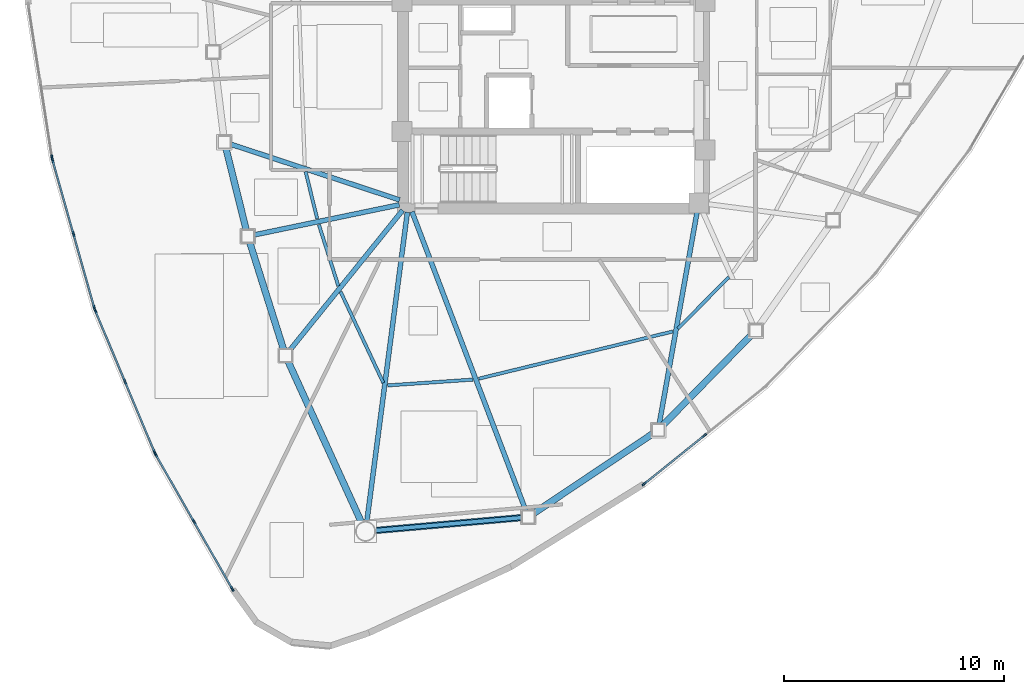
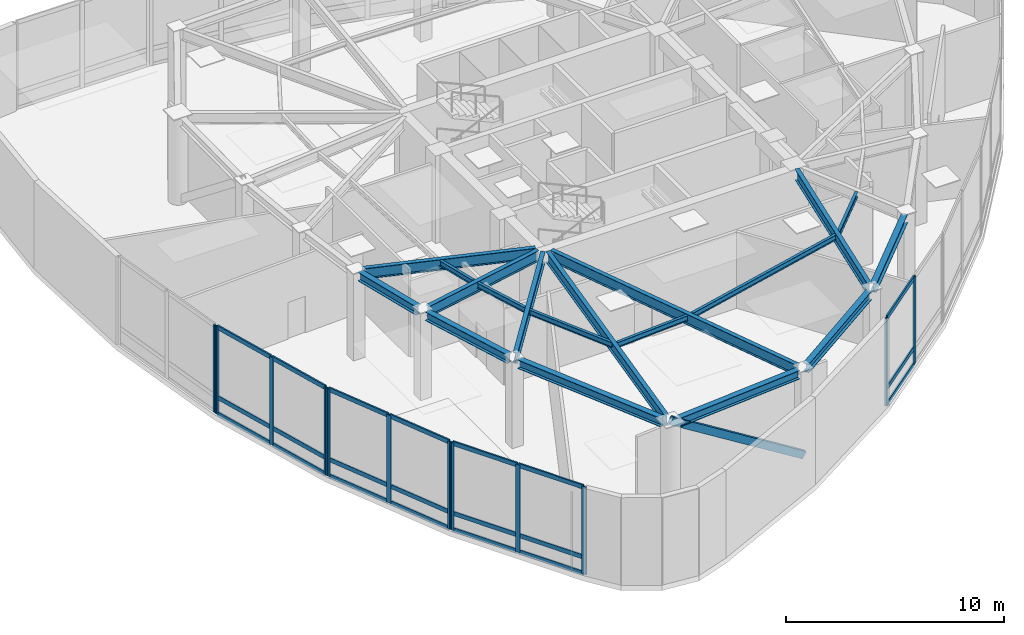
# One storey, part 2 of 12: 34 members, 18 beams, 5 elements without a shape of their own.
"""IFC4 building model written with IfcOpenShell, lengths in metres."""

from ifc_helpers import new_model, si_unit, direction, frame, origin, origin_2d, place, context, subcontext, project, spatial, hollow_rectangle, i_section, extrude, source, transform, mapped, material, layer, layer_set, material_profile, profile_set, type_object, type_shapes, element, aggregate, save


model = new_model("IFC4")

# Units and contexts
model_context = context("Model", 3, precision=1e-05, world=origin(), true_north=direction((0.0, 1.0)))
body_context = subcontext(model_context, "Body", "Model", "MODEL_VIEW")
ifc_project = project(units=[si_unit("LENGTHUNIT", "METRE"), si_unit("AREAUNIT", "SQUARE_METRE"), si_unit("VOLUMEUNIT", "CUBIC_METRE"), si_unit("PLANEANGLEUNIT", "RADIAN"), si_unit("MASSUNIT", "GRAM", prefix="KILO")], contexts=[model_context])

# Site, building, storey
site_placement = place(None, origin())
site = spatial("IfcSite", under=ifc_project, at=site_placement, CompositionType="ELEMENT")
building_placement = place(site_placement, origin())
building = spatial("IfcBuilding", under=site, at=building_placement, Name="Tavelor Broadcast Tower", CompositionType="ELEMENT")
storey_placement = place(building_placement, frame((0.0, 0.0, 216.949951171875)))
storey = spatial("IfcBuildingStorey", under=building, at=storey_placement, Name="L51", CompositionType="ELEMENT", Elevation=216.949951171875)

# Beams
ifc_material_1 = material(Name="Steel S355", Category="steel")
ifc_material_profile_1 = material_profile(ifc_material_1, i_section(OverallWidth=0.14990234375, OverallDepth=0.300048828125, WebThickness=0.007080078125, FlangeThickness=0.0107421875, at=origin_2d()), Name="IPE 300")
ifc_profile_set_1 = profile_set([ifc_material_profile_1], Name="Steel S355")
beam_type_1 = type_object("IfcBeamType", Name="Composite Floor Joist T5 IPE 300", PredefinedType="JOIST", material=ifc_profile_set_1)
beam_1_placement = place(storey_placement, frame((38.712646484375, 40.221435546875, 4.75), z_axis=(0.239592093356, -0.970873642037, 0.0), x_axis=(0.970873642037, 0.239592093356, 0.0)))
element("IfcBeam", 1, at=beam_1_placement, inside=storey, type_object=beam_type_1, Name="L51 Secondary Composite Floor Joist 04", PredefinedType="JOIST", context=body_context, shape_type="SweptSolid", body=[
    extrude(i_section(OverallWidth=0.14990234375, OverallDepth=0.300048828125, WebThickness=0.007080078125, FlangeThickness=0.0107421875, at=origin_2d()), origin(), (0.0, 0.0, 1.0), 2.2060546875),
])
beam_2_placement = place(storey_placement, frame((39.316650390625, 37.811279296875, 4.75), z_axis=(0.302412009178, -0.953177306017, 0.0), x_axis=(0.953177306017, 0.302412009178, 0.0)))
element("IfcBeam", 2, at=beam_2_placement, inside=storey, type_object=beam_type_1, Name="L51 Secondary Composite Floor Joist 05", PredefinedType="JOIST", context=body_context, shape_type="SweptSolid", body=[
    extrude(i_section(OverallWidth=0.14990234375, OverallDepth=0.300048828125, WebThickness=0.007080078125, FlangeThickness=0.0107421875, at=origin_2d()), origin(), (0.0, 0.0, 1.0), 2.92822265625),
])
beam_3_placement = place(storey_placement, frame((40.303466796875, 34.76123046875, 4.75), z_axis=(0.424747696097, -0.905311766553, 0.0), x_axis=(0.905311766553, 0.424747696097, 0.0)))
element("IfcBeam", 3, at=beam_3_placement, inside=storey, type_object=beam_type_1, Name="L51 Secondary Composite Floor Joist 06", PredefinedType="JOIST", context=body_context, shape_type="SweptSolid", body=[
    extrude(i_section(OverallWidth=0.14990234375, OverallDepth=0.300048828125, WebThickness=0.007080078125, FlangeThickness=0.0107421875, at=origin_2d()), origin(), (0.0, 0.0, 1.0), 4.583984375),
])
beam_4_placement = place(storey_placement, frame((42.44873046875, 30.49462890625, 4.75), z_axis=(0.997688348821, 0.067955563618, 0.0), x_axis=(-0.067955563618, 0.997688348821, 0.0)))
element("IfcBeam", 4, at=beam_4_placement, inside=storey, type_object=beam_type_1, Name="L51 Secondary Composite Floor Joist 07", PredefinedType="JOIST", context=body_context, shape_type="SweptSolid", body=[
    extrude(i_section(OverallWidth=0.14990234375, OverallDepth=0.300048828125, WebThickness=0.007080078125, FlangeThickness=0.0107421875, at=origin_2d()), origin(), (0.0, 0.0, 1.0), 3.880126953125),
])
beam_5_placement = place(storey_placement, frame((46.59423828125, 30.80078125, 4.75), z_axis=(0.971661934331, 0.236374883124, 0.0), x_axis=(-0.236374883124, 0.971661934331, 0.0)))
element("IfcBeam", 5, at=beam_5_placement, inside=storey, type_object=beam_type_1, Name="L51 Secondary Composite Floor Joist 08", PredefinedType="JOIST", context=body_context, shape_type="SweptSolid", body=[
    extrude(i_section(OverallWidth=0.14990234375, OverallDepth=0.300048828125, WebThickness=0.007080078125, FlangeThickness=0.0107421875, at=origin_2d()), origin(), (0.0, 0.0, 1.0), 9.089111328125),
])
beam_6_placement = place(storey_placement, frame((55.6591796875, 33.081298828125, 4.75), z_axis=(0.702295555333, 0.711885491465, 0.0), x_axis=(-0.711885491465, 0.702295555333, 0.0)))
element("IfcBeam", 6, at=beam_6_placement, inside=storey, type_object=beam_type_1, Name="L51 Secondary Composite Floor Joist 09", PredefinedType="JOIST", context=body_context, shape_type="SweptSolid", body=[
    extrude(i_section(OverallWidth=0.14990234375, OverallDepth=0.300048828125, WebThickness=0.007080078125, FlangeThickness=0.0107421875, at=origin_2d()), origin(), (0.0, 0.0, 1.0), 3.2841796875),
])
ifc_material_profile_2 = material_profile(ifc_material_1, i_section(OverallWidth=0.300048828125, OverallDepth=0.489990234375, WebThickness=0.011962890625, FlangeThickness=0.02294921875, at=origin_2d()), Name="HEA 500")
ifc_profile_set_2 = profile_set([ifc_material_profile_2], Name="Steel S355")
beam_type_2 = type_object("IfcBeamType", Name="Perimeter Spandrel Beam T5 HEA 500", PredefinedType="SPANDREL", material=ifc_profile_set_2)
beam_7_placement = place(storey_placement, frame((35.08837890625, 41.284423828125, 4.655029296875), z_axis=(0.24127750007, -0.970456164883, 0.0), x_axis=(0.970456164883, 0.24127750007, 0.0)))
element("IfcBeam", 7, at=beam_7_placement, inside=storey, type_object=beam_type_2, Name="L51 Framed-Tube Ring Spandrel 04", PredefinedType="SPANDREL", context=body_context, shape_type="SweptSolid", body=[
    extrude(i_section(OverallWidth=0.300048828125, OverallDepth=0.489990234375, WebThickness=0.011962890625, FlangeThickness=0.02294921875, at=origin_2d()), origin(), (0.0, 0.0, 1.0), 3.8359375),
])
beam_8_placement = place(storey_placement, frame((36.170166015625, 37.0078125, 4.655029296875), z_axis=(0.300957826527, -0.95363745032, 0.0), x_axis=(0.95363745032, 0.300957826527, 0.0)))
element("IfcBeam", 8, at=beam_8_placement, inside=storey, type_object=beam_type_2, Name="L51 Framed-Tube Ring Spandrel 05", PredefinedType="SPANDREL", context=body_context, shape_type="SweptSolid", body=[
    extrude(i_section(OverallWidth=0.300048828125, OverallDepth=0.489990234375, WebThickness=0.011962890625, FlangeThickness=0.02294921875, at=origin_2d()), origin(), (0.0, 0.0, 1.0), 5.1171875),
])
beam_9_placement = place(storey_placement, frame((37.91650390625, 31.59130859375, 4.655029296875), z_axis=(0.414437010202, -0.910077999171, 0.0), x_axis=(0.910077999171, 0.414437010202, 0.0)))
element("IfcBeam", 9, at=beam_9_placement, inside=storey, type_object=beam_type_2, Name="L51 Framed-Tube Ring Spandrel 06", PredefinedType="SPANDREL", context=body_context, shape_type="SweptSolid", body=[
    extrude(i_section(OverallWidth=0.300048828125, OverallDepth=0.489990234375, WebThickness=0.011962890625, FlangeThickness=0.02294921875, at=origin_2d()), origin(), (0.0, 0.0, 1.0), 8.0634765625),
])
beam_10_placement = place(storey_placement, frame((41.877197265625, 23.89208984375, 4.655029296875), z_axis=(0.996152506101, 0.087636662361, 0.0), x_axis=(-0.087636662361, 0.996152506101, 0.0)))
element("IfcBeam", 10, at=beam_10_placement, inside=storey, type_object=beam_type_2, Name="L51 Framed-Tube Ring Spandrel 07", PredefinedType="SPANDREL", context=body_context, shape_type="SweptSolid", body=[
    extrude(i_section(OverallWidth=0.300048828125, OverallDepth=0.489990234375, WebThickness=0.011962890625, FlangeThickness=0.02294921875, at=origin_2d()), origin(), (0.0, 0.0, 1.0), 6.70556640625),
])
beam_11_placement = place(storey_placement, frame((49.083251953125, 24.665283203125, 4.655029296875), z_axis=(0.830979943124, 0.556302376523, 0.0), x_axis=(-0.556302376523, 0.830979943124, 0.0)))
element("IfcBeam", 11, at=beam_11_placement, inside=storey, type_object=beam_type_2, Name="L51 Framed-Tube Ring Spandrel 08", PredefinedType="SPANDREL", context=body_context, shape_type="SweptSolid", body=[
    extrude(i_section(OverallWidth=0.300048828125, OverallDepth=0.489990234375, WebThickness=0.011962890625, FlangeThickness=0.02294921875, at=origin_2d()), origin(), (0.0, 0.0, 1.0), 6.536376953125),
])
beam_12_placement = place(storey_placement, frame((54.955810546875, 28.667236328125, 4.655029296875), z_axis=(0.70018873327, 0.713957798334, 0.0), x_axis=(-0.713957798334, 0.70018873327, 0.0)))
element("IfcBeam", 12, at=beam_12_placement, inside=storey, type_object=beam_type_2, Name="L51 Framed-Tube Ring Spandrel 09", PredefinedType="SPANDREL", context=body_context, shape_type="SweptSolid", body=[
    extrude(i_section(OverallWidth=0.300048828125, OverallDepth=0.489990234375, WebThickness=0.011962890625, FlangeThickness=0.02294921875, at=origin_2d()), origin(), (0.0, 0.0, 1.0), 5.7626953125),
])

# Member
ifc_material_profile_3 = material_profile(ifc_material_1, hollow_rectangle(XDim=0.199951171875, YDim=0.39990234375, WallThickness=0.01611328125, at=origin_2d()), Name="RHS 400x200x16")
ifc_profile_set_3 = profile_set([ifc_material_profile_3], Name="Steel S355")
member_type_1 = type_object("IfcMemberType", Name="Perimeter Tube Brace T5 RHS 400x200x16", PredefinedType="BRACE", material=ifc_profile_set_3)
member_1_placement = place(storey_placement, frame((48.843994140625, 24.5048828125, 0.0), z_axis=(-0.831669307327, -0.073140606827, 0.550433115721), x_axis=(0.087606208465, -0.996155184817, 0.0)))
element("IfcMember", 13, at=member_1_placement, inside=storey, type_object=member_type_1, Name="L51 Corner Tube Diagonal Brace 2", PredefinedType="BRACE", context=body_context, shape_type="SweptSolid", body=[
    extrude(hollow_rectangle(XDim=0.199951171875, YDim=0.39990234375, WallThickness=0.01611328125, at=origin_2d()), origin(), (0.0, 0.0, 1.0), 8.90234375),
])

# Beams
ifc_material_profile_4 = material_profile(ifc_material_1, i_section(OverallWidth=0.219970703125, OverallDepth=0.60009765625, WebThickness=0.011962890625, FlangeThickness=0.01904296875, at=origin_2d()), Name="IPE 600")
ifc_profile_set_4 = profile_set([ifc_material_profile_4], Name="Steel S355")
beam_type_3 = type_object("IfcBeamType", Name="Radial Floor Girder T5 IPE 600", PredefinedType="BEAM", material=ifc_profile_set_4)
beam_13_placement = place(storey_placement, frame((42.98974609375, 38.935302734375, 4.60009765625), z_axis=(-0.949693529109, 0.313180779692, 0.0), x_axis=(-0.313180779692, -0.949693529109, 0.0)))
element("IfcBeam", 14, at=beam_13_placement, inside=storey, type_object=beam_type_3, Name="L51 Radial Primary Floor Girder 04", PredefinedType="BEAM", context=body_context, shape_type="SweptSolid", body=[
    extrude(i_section(OverallWidth=0.219970703125, OverallDepth=0.60009765625, WebThickness=0.011962890625, FlangeThickness=0.01904296875, at=origin_2d()), origin(), (0.0, 0.0, 1.0), 8.10498046875),
])
beam_14_placement = place(storey_placement, frame((42.97705078125, 38.71240234375, 4.60009765625), z_axis=(-0.979152429868, -0.203126854658, 0.0), x_axis=(0.203126854658, -0.979152429868, 0.0)))
element("IfcBeam", 15, at=beam_14_placement, inside=storey, type_object=beam_type_3, Name="L51 Radial Primary Floor Girder 05", PredefinedType="BEAM", context=body_context, shape_type="SweptSolid", body=[
    extrude(i_section(OverallWidth=0.219970703125, OverallDepth=0.60009765625, WebThickness=0.011962890625, FlangeThickness=0.01904296875, at=origin_2d()), origin(), (0.0, 0.0, 1.0), 6.75244140625),
])
beam_15_placement = place(storey_placement, frame((43.12890625, 38.463623046875, 4.60009765625), z_axis=(-0.627821660469, -0.778357220463, 0.0), x_axis=(0.778357220463, -0.627821660469, 0.0)))
element("IfcBeam", 16, at=beam_15_placement, inside=storey, type_object=beam_type_3, Name="L51 Radial Primary Floor Girder 06", PredefinedType="BEAM", context=body_context, shape_type="SweptSolid", body=[
    extrude(i_section(OverallWidth=0.219970703125, OverallDepth=0.60009765625, WebThickness=0.011962890625, FlangeThickness=0.01904296875, at=origin_2d()), origin(), (0.0, 0.0, 1.0), 8.204833984375),
])
beam_16_placement = place(storey_placement, frame((43.34375, 38.37158203125, 4.60009765625), z_axis=(-0.130000517012, -0.991513926063, 0.0), x_axis=(0.991513926063, -0.130000517012, 0.0)))
element("IfcBeam", 17, at=beam_16_placement, inside=storey, type_object=beam_type_3, Name="L51 Radial Primary Floor Girder 07", PredefinedType="BEAM", context=body_context, shape_type="SweptSolid", body=[
    extrude(i_section(OverallWidth=0.219970703125, OverallDepth=0.60009765625, WebThickness=0.011962890625, FlangeThickness=0.01904296875, at=origin_2d()), origin(), (0.0, 0.0, 1.0), 14.203369140625),
])
beam_17_placement = place(storey_placement, frame((43.5537109375, 38.396240234375, 4.60009765625), z_axis=(0.355898513414, -0.934524610778, 0.0), x_axis=(0.934524610778, 0.355898513414, 0.0)))
element("IfcBeam", 18, at=beam_17_placement, inside=storey, type_object=beam_type_3, Name="L51 Radial Primary Floor Girder 08", PredefinedType="BEAM", context=body_context, shape_type="SweptSolid", body=[
    extrude(i_section(OverallWidth=0.219970703125, OverallDepth=0.60009765625, WebThickness=0.011962890625, FlangeThickness=0.01904296875, at=origin_2d()), origin(), (0.0, 0.0, 1.0), 14.576416015625),
])
beam_18_placement = place(storey_placement, frame((56.524169921875, 38.374755859375, 4.60009765625), z_axis=(-0.175781136437, -0.984429272255, 0.0), x_axis=(0.984429272255, -0.175781136437, 0.0)))
element("IfcBeam", 19, at=beam_18_placement, inside=storey, type_object=beam_type_3, Name="L51 Radial Primary Floor Girder 09", PredefinedType="BEAM", context=body_context, shape_type="SweptSolid", body=[
    extrude(i_section(OverallWidth=0.219970703125, OverallDepth=0.60009765625, WebThickness=0.011962890625, FlangeThickness=0.01904296875, at=origin_2d()), origin(), (0.0, 0.0, 1.0), 9.781982421875),
])

# Curtain wall, member
ifc_material_2 = material(Name="Architectural Anodized Aluminium", Category="aluminium")
ifc_layer = layer(ifc_material_2, 0.239990234375)
ifc_layer_set = layer_set([ifc_layer], Name="Architectural Anodized Aluminium")
curtain_wall_type = type_object("IfcCurtainWallType", Name="Sky Lobby Feature Structural Curtain Wall CW05", PredefinedType="NOTDEFINED", material=ifc_layer_set)
curtain_wall_1_placement = place(storey_placement, origin())
curtain_wall_1 = element("IfcCurtainWall", 20, at=curtain_wall_1_placement, inside=storey, type_object=curtain_wall_type, Name="L51 Curtain Wall CW05 Run 541", PredefinedType="NOTDEFINED")
ifc_material_profile_5 = material_profile(ifc_material_2, hollow_rectangle(XDim=0.080078125, YDim=0.239990234375, WallThickness=0.02197265625, at=origin_2d()), Name="RHS 80x240x22")
ifc_profile_set_5 = profile_set([ifc_material_profile_5], Name="Architectural Anodized Aluminium")
member_type_2 = type_object("IfcMemberType", Name="CW05 Extruded Aluminium Mullion 80x240", PredefinedType="MULLION", material=ifc_profile_set_5)
shared_shape_1 = source(origin(), body_context, "Body", "SweptSolid", [
    extrude(hollow_rectangle(XDim=0.080078125, YDim=0.239990234375, WallThickness=0.02197265625, at=origin_2d()), origin(), (0.0, 0.0, 1.0), 4.900146484375),
])
type_shapes(member_type_2, [shared_shape_1])
member_2_placement = place(storey_placement, frame((27.174560546875, 40.864501953125, 0.0), z_axis=(0.0, 0.0, 1.0), x_axis=(0.988162463311, 0.153411036448, 0.0)))
member_2 = element("IfcMember", 21, at=member_2_placement, type_object=member_type_2, Name="CW05 mullion 3", PredefinedType="MULLION", context=body_context, shape_type="MappedRepresentation", body=[
    mapped(shared_shape_1, transform((0.0, 0.0, 0.0), scale=1.0)),
])
aggregate(curtain_wall_1, [member_2])

# Curtain wall, members
curtain_wall_2_placement = place(storey_placement, origin())
curtain_wall_2 = element("IfcCurtainWall", 22, at=curtain_wall_2_placement, inside=storey, type_object=curtain_wall_type, Name="L51 Curtain Wall CW05 Run 542", PredefinedType="NOTDEFINED")
member_3_placement = place(storey_placement, frame((27.197998046875, 40.757080078125, 0.0), z_axis=(0.0, 0.0, 1.0), x_axis=(0.962335241615, 0.271865560059, 0.0)))
member_3 = element("IfcMember", 23, at=member_3_placement, type_object=member_type_2, Name="CW05 mullion 1", PredefinedType="MULLION", context=body_context, shape_type="MappedRepresentation", body=[
    mapped(shared_shape_1, transform((0.0, 0.0, 0.0), scale=1.0)),
])
member_4_placement = place(storey_placement, frame((28.15087890625, 37.384765625, 0.0), z_axis=(0.0, 0.0, 1.0), x_axis=(0.962335241615, 0.271865560059, 0.0)))
member_4 = element("IfcMember", 24, at=member_4_placement, type_object=member_type_2, Name="CW05 mullion 2", PredefinedType="MULLION", context=body_context, shape_type="MappedRepresentation", body=[
    mapped(shared_shape_1, transform((0.0, 0.0, 0.0), scale=1.0)),
])
member_5_placement = place(storey_placement, frame((29.103515625, 34.01220703125, 0.0), z_axis=(0.0, 0.0, 1.0), x_axis=(0.962335241615, 0.271865560059, 0.0)))
member_5 = element("IfcMember", 25, at=member_5_placement, type_object=member_type_2, Name="CW05 mullion 3", PredefinedType="MULLION", context=body_context, shape_type="MappedRepresentation", body=[
    mapped(shared_shape_1, transform((0.0, 0.0, 0.0), scale=1.0)),
])

curtain_wall_3_placement = place(storey_placement, origin())
curtain_wall_3 = element("IfcCurtainWall", 26, at=curtain_wall_3_placement, inside=storey, type_object=curtain_wall_type, Name="L51 Curtain Wall CW05 Run 543", PredefinedType="NOTDEFINED")
member_6_placement = place(storey_placement, frame((29.1396484375, 33.90869140625, 0.0), z_axis=(0.0, 0.0, 1.0), x_axis=(0.922360806845, 0.386329576911, 0.0)))
member_6 = element("IfcMember", 27, at=member_6_placement, type_object=member_type_2, Name="CW05 mullion 1", PredefinedType="MULLION", context=body_context, shape_type="MappedRepresentation", body=[
    mapped(shared_shape_1, transform((0.0, 0.0, 0.0), scale=1.0)),
])
member_7_placement = place(storey_placement, frame((30.49365234375, 30.67626953125, 0.0), z_axis=(0.0, 0.0, 1.0), x_axis=(0.922360806845, 0.386329576911, 0.0)))
member_7 = element("IfcMember", 28, at=member_7_placement, type_object=member_type_2, Name="CW05 mullion 2", PredefinedType="MULLION", context=body_context, shape_type="MappedRepresentation", body=[
    mapped(shared_shape_1, transform((0.0, 0.0, 0.0), scale=1.0)),
])
member_8_placement = place(storey_placement, frame((31.847412109375, 27.444091796875, 0.0), z_axis=(0.0, 0.0, 1.0), x_axis=(0.922360806845, 0.386329576911, 0.0)))
member_8 = element("IfcMember", 29, at=member_8_placement, type_object=member_type_2, Name="CW05 mullion 3", PredefinedType="MULLION", context=body_context, shape_type="MappedRepresentation", body=[
    mapped(shared_shape_1, transform((0.0, 0.0, 0.0), scale=1.0)),
])

curtain_wall_4_placement = place(storey_placement, origin())
curtain_wall_4 = element("IfcCurtainWall", 30, at=curtain_wall_4_placement, inside=storey, type_object=curtain_wall_type, Name="L51 Curtain Wall CW05 Run 544", PredefinedType="NOTDEFINED")
member_9_placement = place(storey_placement, frame((31.89599609375, 27.345458984375, 0.0), z_axis=(0.0, 0.0, 1.0), x_axis=(0.868834971851, 0.495101799319, 0.0)))
member_9 = element("IfcMember", 31, at=member_9_placement, type_object=member_type_2, Name="CW05 mullion 1", PredefinedType="MULLION", context=body_context, shape_type="MappedRepresentation", body=[
    mapped(shared_shape_1, transform((0.0, 0.0, 0.0), scale=1.0)),
])
member_10_placement = place(storey_placement, frame((33.635009765625, 24.293701171875, 0.0), z_axis=(0.0, 0.0, 1.0), x_axis=(0.868834971851, 0.495101799319, 0.0)))
member_10 = element("IfcMember", 32, at=member_10_placement, type_object=member_type_2, Name="CW05 mullion 2", PredefinedType="MULLION", context=body_context, shape_type="MappedRepresentation", body=[
    mapped(shared_shape_1, transform((0.0, 0.0, 0.0), scale=1.0)),
])
member_11_placement = place(storey_placement, frame((35.373779296875, 21.241943359375, 0.0), z_axis=(0.0, 0.0, 1.0), x_axis=(0.868834971851, 0.495101799319, 0.0)))
member_11 = element("IfcMember", 33, at=member_11_placement, type_object=member_type_2, Name="CW05 mullion 3", PredefinedType="MULLION", context=body_context, shape_type="MappedRepresentation", body=[
    mapped(shared_shape_1, transform((0.0, 0.0, 0.0), scale=1.0)),
])

curtain_wall_5_placement = place(storey_placement, origin())
curtain_wall_5 = element("IfcCurtainWall", 34, at=curtain_wall_5_placement, inside=storey, type_object=curtain_wall_type, Name="L51 Curtain Wall CW05 Run 545", PredefinedType="NOTDEFINED")
member_12_placement = place(storey_placement, frame((54.1220703125, 26.014892578125, 0.0), z_axis=(0.0, 0.0, 1.0), x_axis=(-0.626937934584, 0.779069205, 0.0)))
member_12 = element("IfcMember", 35, at=member_12_placement, type_object=member_type_2, Name="CW05 mullion 1", PredefinedType="MULLION", context=body_context, shape_type="MappedRepresentation", body=[
    mapped(shared_shape_1, transform((0.0, 0.0, 0.0), scale=1.0)),
])
member_13_placement = place(storey_placement, frame((56.858154296875, 28.216552734375, 0.0), z_axis=(0.0, 0.0, 1.0), x_axis=(-0.626937934584, 0.779069205, 0.0)))
member_13 = element("IfcMember", 36, at=member_13_placement, type_object=member_type_2, Name="CW05 mullion 2", PredefinedType="MULLION", context=body_context, shape_type="MappedRepresentation", body=[
    mapped(shared_shape_1, transform((0.0, 0.0, 0.0), scale=1.0)),
])
ifc_material_profile_6 = material_profile(ifc_material_2, hollow_rectangle(XDim=0.080078125, YDim=0.239990234375, WallThickness=0.02197265625, at=origin_2d()), Name="RHS 80x240x22")
ifc_profile_set_6 = profile_set([ifc_material_profile_6], Name="Architectural Anodized Aluminium")
member_type_3 = type_object("IfcMemberType", Name="CW05 Extruded Aluminium Transom 80x240", PredefinedType="USERDEFINED", material=ifc_profile_set_6)
shared_shape_2 = source(origin(), body_context, "Body", "SweptSolid", [
    extrude(hollow_rectangle(XDim=0.080078125, YDim=0.239990234375, WallThickness=0.02197265625, at=origin_2d()), origin(), (0.0, 0.0, 1.0), 3.431884765625),
])
member_14_placement = place(storey_placement, frame((54.1533203125, 26.039794921875, 0.0400390625), z_axis=(0.779054059292, 0.626956755049, 0.0), x_axis=(-0.626956755049, 0.779054059292, 0.0)))
member_14 = element("IfcMember", 37, at=member_14_placement, type_object=member_type_3, Name="CW05 transom 1.1", ObjectType="TRANSOM", PredefinedType="USERDEFINED", context=body_context, shape_type="MappedRepresentation", body=[
    mapped(shared_shape_2, transform((0.0, 0.0, 0.0), scale=1.0)),
])
member_15_placement = place(storey_placement, frame((54.1533203125, 26.039794921875, 0.949951171875), z_axis=(0.779054059292, 0.626956755049, 0.0), x_axis=(-0.626956755049, 0.779054059292, 0.0)))
member_15 = element("IfcMember", 38, at=member_15_placement, type_object=member_type_3, Name="CW05 transom 1.2", ObjectType="TRANSOM", PredefinedType="USERDEFINED", context=body_context, shape_type="MappedRepresentation", body=[
    mapped(shared_shape_2, transform((0.0, 0.0, 0.0), scale=1.0)),
])
member_16_placement = place(storey_placement, frame((54.1533203125, 26.039794921875, 4.860107421875), z_axis=(0.779054059292, 0.626956755049, 0.0), x_axis=(-0.626956755049, 0.779054059292, 0.0)))
member_16 = element("IfcMember", 39, at=member_16_placement, type_object=member_type_3, Name="CW05 transom 1.3", ObjectType="TRANSOM", PredefinedType="USERDEFINED", context=body_context, shape_type="MappedRepresentation", body=[
    mapped(shared_shape_2, transform((0.0, 0.0, 0.0), scale=1.0)),
])
aggregate(curtain_wall_5, [member_12, member_13, member_14, member_15, member_16])

# Member
shared_shape_3 = source(origin(), body_context, "Body", "SweptSolid", [
    extrude(hollow_rectangle(XDim=0.080078125, YDim=0.239990234375, WallThickness=0.02197265625, at=origin_2d()), origin(), (0.0, 0.0, 1.0), 3.42431640625),
])
member_17_placement = place(storey_placement, frame((27.208984375, 40.718505859375, 0.0400390625), z_axis=(0.271847923653, -0.962340223832, 0.0), x_axis=(0.962340223832, 0.271847923653, 0.0)))
member_17 = element("IfcMember", 40, at=member_17_placement, type_object=member_type_3, Name="CW05 transom 1.1", ObjectType="TRANSOM", PredefinedType="USERDEFINED", context=body_context, shape_type="MappedRepresentation", body=[
    mapped(shared_shape_3, transform((0.0, 0.0, 0.0), scale=1.0)),
])

member_18_placement = place(storey_placement, frame((27.208984375, 40.718505859375, 0.949951171875), z_axis=(0.271847923653, -0.962340223832, 0.0), x_axis=(0.962340223832, 0.271847923653, 0.0)))
member_18 = element("IfcMember", 41, at=member_18_placement, type_object=member_type_3, Name="CW05 transom 1.2", ObjectType="TRANSOM", PredefinedType="USERDEFINED", context=body_context, shape_type="MappedRepresentation", body=[
    mapped(shared_shape_3, transform((0.0, 0.0, 0.0), scale=1.0)),
])

member_19_placement = place(storey_placement, frame((27.208984375, 40.718505859375, 4.860107421875), z_axis=(0.271847923653, -0.962340223832, 0.0), x_axis=(0.962340223832, 0.271847923653, 0.0)))
member_19 = element("IfcMember", 42, at=member_19_placement, type_object=member_type_3, Name="CW05 transom 1.3", ObjectType="TRANSOM", PredefinedType="USERDEFINED", context=body_context, shape_type="MappedRepresentation", body=[
    mapped(shared_shape_3, transform((0.0, 0.0, 0.0), scale=1.0)),
])

member_20_placement = place(storey_placement, frame((28.16162109375, 37.34619140625, 0.0400390625), z_axis=(0.271847923653, -0.962340223832, 0.0), x_axis=(0.962340223832, 0.271847923653, 0.0)))
member_20 = element("IfcMember", 43, at=member_20_placement, type_object=member_type_3, Name="CW05 transom 2.1", ObjectType="TRANSOM", PredefinedType="USERDEFINED", context=body_context, shape_type="MappedRepresentation", body=[
    mapped(shared_shape_3, transform((0.0, 0.0, 0.0), scale=1.0)),
])

member_21_placement = place(storey_placement, frame((28.16162109375, 37.34619140625, 0.949951171875), z_axis=(0.271847923653, -0.962340223832, 0.0), x_axis=(0.962340223832, 0.271847923653, 0.0)))
member_21 = element("IfcMember", 44, at=member_21_placement, type_object=member_type_3, Name="CW05 transom 2.2", ObjectType="TRANSOM", PredefinedType="USERDEFINED", context=body_context, shape_type="MappedRepresentation", body=[
    mapped(shared_shape_3, transform((0.0, 0.0, 0.0), scale=1.0)),
])

member_22_placement = place(storey_placement, frame((28.16162109375, 37.34619140625, 4.860107421875), z_axis=(0.271847923653, -0.962340223832, 0.0), x_axis=(0.962340223832, 0.271847923653, 0.0)))
member_22 = element("IfcMember", 45, at=member_22_placement, type_object=member_type_3, Name="CW05 transom 2.3", ObjectType="TRANSOM", PredefinedType="USERDEFINED", context=body_context, shape_type="MappedRepresentation", body=[
    mapped(shared_shape_3, transform((0.0, 0.0, 0.0), scale=1.0)),
])

aggregate(curtain_wall_2, [member_3, member_4, member_5, member_17, member_18, member_19, member_20, member_21, member_22])

member_23_placement = place(storey_placement, frame((30.509033203125, 30.639404296875, 0.0400390625), z_axis=(0.386351111716, -0.922351786726, 0.0), x_axis=(0.922351786726, 0.386351111716, 0.0)))
member_23 = element("IfcMember", 46, at=member_23_placement, type_object=member_type_3, Name="CW05 transom 2.1", ObjectType="TRANSOM", PredefinedType="USERDEFINED", context=body_context, shape_type="MappedRepresentation", body=[
    mapped(shared_shape_3, transform((0.0, 0.0, 0.0), scale=1.0)),
])

member_24_placement = place(storey_placement, frame((30.509033203125, 30.639404296875, 0.949951171875), z_axis=(0.386351111716, -0.922351786726, 0.0), x_axis=(0.922351786726, 0.386351111716, 0.0)))
member_24 = element("IfcMember", 47, at=member_24_placement, type_object=member_type_3, Name="CW05 transom 2.2", ObjectType="TRANSOM", PredefinedType="USERDEFINED", context=body_context, shape_type="MappedRepresentation", body=[
    mapped(shared_shape_3, transform((0.0, 0.0, 0.0), scale=1.0)),
])

member_25_placement = place(storey_placement, frame((30.509033203125, 30.639404296875, 4.860107421875), z_axis=(0.386351111716, -0.922351786726, 0.0), x_axis=(0.922351786726, 0.386351111716, 0.0)))
member_25 = element("IfcMember", 48, at=member_25_placement, type_object=member_type_3, Name="CW05 transom 2.3", ObjectType="TRANSOM", PredefinedType="USERDEFINED", context=body_context, shape_type="MappedRepresentation", body=[
    mapped(shared_shape_3, transform((0.0, 0.0, 0.0), scale=1.0)),
])

shared_shape_4 = source(origin(), body_context, "Body", "SweptSolid", [
    extrude(hollow_rectangle(XDim=0.080078125, YDim=0.239990234375, WallThickness=0.02197265625, at=origin_2d()), origin(), (0.0, 0.0, 1.0), 3.424560546875),
])
member_26_placement = place(storey_placement, frame((29.1552734375, 33.871826171875, 0.0400390625), z_axis=(0.386265053456, -0.922387829754, 0.0), x_axis=(0.922387829754, 0.386265053456, 0.0)))
member_26 = element("IfcMember", 49, at=member_26_placement, type_object=member_type_3, Name="CW05 transom 1.1", ObjectType="TRANSOM", PredefinedType="USERDEFINED", context=body_context, shape_type="MappedRepresentation", body=[
    mapped(shared_shape_4, transform((0.0, 0.0, 0.0), scale=1.0)),
])

member_27_placement = place(storey_placement, frame((29.1552734375, 33.871826171875, 0.949951171875), z_axis=(0.386265053456, -0.922387829754, 0.0), x_axis=(0.922387829754, 0.386265053456, 0.0)))
member_27 = element("IfcMember", 50, at=member_27_placement, type_object=member_type_3, Name="CW05 transom 1.2", ObjectType="TRANSOM", PredefinedType="USERDEFINED", context=body_context, shape_type="MappedRepresentation", body=[
    mapped(shared_shape_4, transform((0.0, 0.0, 0.0), scale=1.0)),
])

member_28_placement = place(storey_placement, frame((29.1552734375, 33.871826171875, 4.860107421875), z_axis=(0.386265053456, -0.922387829754, 0.0), x_axis=(0.922387829754, 0.386265053456, 0.0)))
member_28 = element("IfcMember", 51, at=member_28_placement, type_object=member_type_3, Name="CW05 transom 1.3", ObjectType="TRANSOM", PredefinedType="USERDEFINED", context=body_context, shape_type="MappedRepresentation", body=[
    mapped(shared_shape_4, transform((0.0, 0.0, 0.0), scale=1.0)),
])

aggregate(curtain_wall_3, [member_6, member_7, member_8, member_26, member_27, member_28, member_23, member_24, member_25])

shared_shape_5 = source(origin(), body_context, "Body", "SweptSolid", [
    extrude(hollow_rectangle(XDim=0.080078125, YDim=0.239990234375, WallThickness=0.02197265625, at=origin_2d()), origin(), (0.0, 0.0, 1.0), 3.432373046875),
])
type_shapes(member_type_3, [shared_shape_2, shared_shape_3, shared_shape_4, shared_shape_5])
member_29_placement = place(storey_placement, frame((31.915771484375, 27.310791015625, 0.0400390625), z_axis=(0.495066135462, -0.868855293774, 0.0), x_axis=(0.868855293774, 0.495066135462, 0.0)))
member_29 = element("IfcMember", 52, at=member_29_placement, type_object=member_type_3, Name="CW05 transom 1.1", ObjectType="TRANSOM", PredefinedType="USERDEFINED", context=body_context, shape_type="MappedRepresentation", body=[
    mapped(shared_shape_5, transform((0.0, 0.0, 0.0), scale=1.0)),
])

member_30_placement = place(storey_placement, frame((31.915771484375, 27.310791015625, 0.949951171875), z_axis=(0.495066135462, -0.868855293774, 0.0), x_axis=(0.868855293774, 0.495066135462, 0.0)))
member_30 = element("IfcMember", 53, at=member_30_placement, type_object=member_type_3, Name="CW05 transom 1.2", ObjectType="TRANSOM", PredefinedType="USERDEFINED", context=body_context, shape_type="MappedRepresentation", body=[
    mapped(shared_shape_5, transform((0.0, 0.0, 0.0), scale=1.0)),
])

member_31_placement = place(storey_placement, frame((31.915771484375, 27.310791015625, 4.860107421875), z_axis=(0.495066135462, -0.868855293774, 0.0), x_axis=(0.868855293774, 0.495066135462, 0.0)))
member_31 = element("IfcMember", 54, at=member_31_placement, type_object=member_type_3, Name="CW05 transom 1.3", ObjectType="TRANSOM", PredefinedType="USERDEFINED", context=body_context, shape_type="MappedRepresentation", body=[
    mapped(shared_shape_5, transform((0.0, 0.0, 0.0), scale=1.0)),
])

member_32_placement = place(storey_placement, frame((33.65478515625, 24.259033203125, 0.0400390625), z_axis=(0.495066135462, -0.868855293774, 0.0), x_axis=(0.868855293774, 0.495066135462, 0.0)))
member_32 = element("IfcMember", 55, at=member_32_placement, type_object=member_type_3, Name="CW05 transom 2.1", ObjectType="TRANSOM", PredefinedType="USERDEFINED", context=body_context, shape_type="MappedRepresentation", body=[
    mapped(shared_shape_5, transform((0.0, 0.0, 0.0), scale=1.0)),
])

member_33_placement = place(storey_placement, frame((33.65478515625, 24.259033203125, 0.949951171875), z_axis=(0.495066135462, -0.868855293774, 0.0), x_axis=(0.868855293774, 0.495066135462, 0.0)))
member_33 = element("IfcMember", 56, at=member_33_placement, type_object=member_type_3, Name="CW05 transom 2.2", ObjectType="TRANSOM", PredefinedType="USERDEFINED", context=body_context, shape_type="MappedRepresentation", body=[
    mapped(shared_shape_5, transform((0.0, 0.0, 0.0), scale=1.0)),
])

member_34_placement = place(storey_placement, frame((33.65478515625, 24.259033203125, 4.860107421875), z_axis=(0.495066135462, -0.868855293774, 0.0), x_axis=(0.868855293774, 0.495066135462, 0.0)))
member_34 = element("IfcMember", 57, at=member_34_placement, type_object=member_type_3, Name="CW05 transom 2.3", ObjectType="TRANSOM", PredefinedType="USERDEFINED", context=body_context, shape_type="MappedRepresentation", body=[
    mapped(shared_shape_5, transform((0.0, 0.0, 0.0), scale=1.0)),
])

aggregate(curtain_wall_4, [member_9, member_10, member_11, member_29, member_30, member_31, member_32, member_33, member_34])

save(model, "model.ifc")
